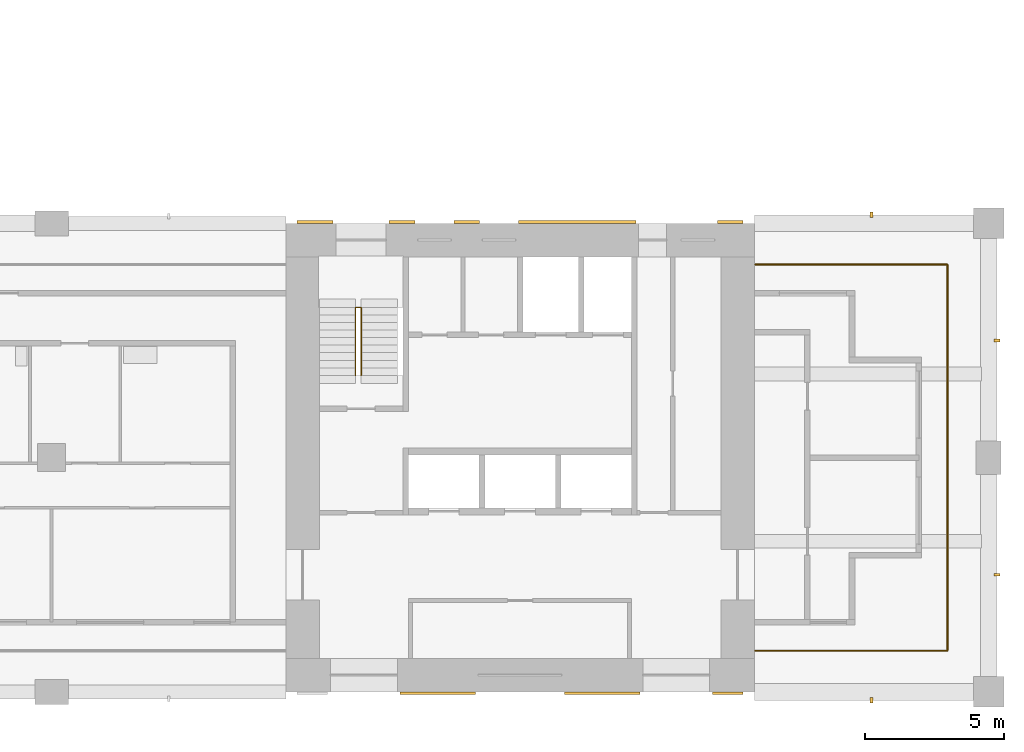
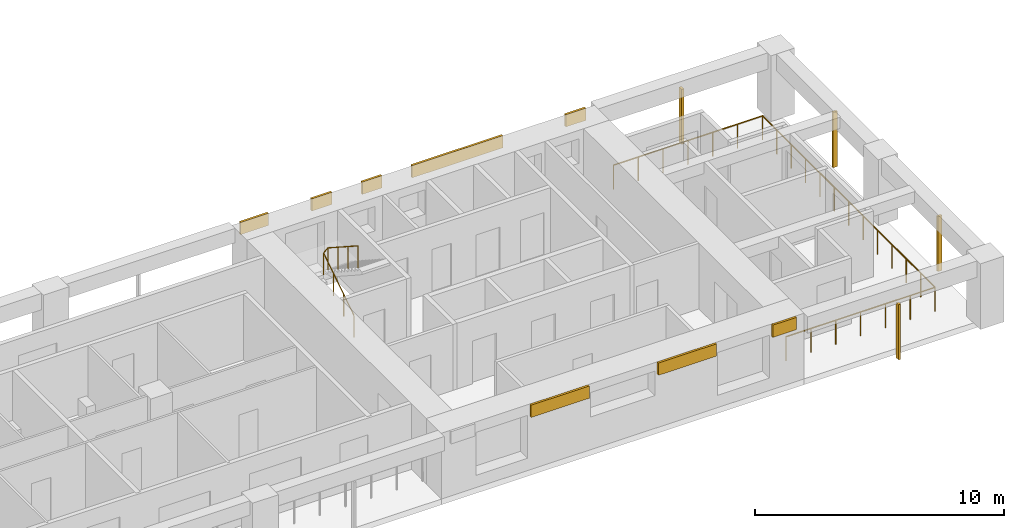
# One storey, part 8 of 10: 12 shading devices, 2 railings.
"""IFC4 building model written with IfcOpenShell, lengths in metres."""

from ifc_helpers import new_model, si_unit, direction, frame, origin, origin_2d, place, context, subcontext, project, spatial, rectangle, circle, extrude, material, layer, layer_set, material_profile, profile_set, type_object, element, save


model = new_model("IFC4")

# Units and contexts
model_context = context("Model", 3, precision=1e-05, world=origin(), true_north=direction((0.0, 1.0)))
body_context = subcontext(model_context, "Body", "Model", "MODEL_VIEW")
ifc_project = project(units=[si_unit("LENGTHUNIT", "METRE"), si_unit("AREAUNIT", "SQUARE_METRE"), si_unit("VOLUMEUNIT", "CUBIC_METRE"), si_unit("PLANEANGLEUNIT", "RADIAN"), si_unit("MASSUNIT", "GRAM", prefix="KILO")], contexts=[model_context])

# Site, building, storey
site_placement = place(None, origin())
site = spatial("IfcSite", under=ifc_project, at=site_placement, CompositionType="ELEMENT")
building_placement = place(site_placement, origin())
building = spatial("IfcBuilding", under=site, at=building_placement, Name="Vermilion Gate Residences", CompositionType="ELEMENT")
storey_placement = place(building_placement, frame((0.0, 0.0, 175.699951171875)))
storey = spatial("IfcBuildingStorey", under=building, at=storey_placement, Name="L45", CompositionType="ELEMENT", Elevation=175.699951171875)

# Railings
ifc_material_1 = material(Name="Stainless steel and toughened glass", Category="steel")
railing_type_1 = type_object("IfcRailingType", Name="LOGGIA GUARD STEEL AND GLASS 1200", PredefinedType="GUARDRAIL", material=ifc_material_1)
railing_1_placement = place(storey_placement, frame((58.822021484375, 9.875, 0.0)))
element("IfcRailing", 1, at=railing_1_placement, inside=storey, type_object=railing_type_1, Name="Loggia guard", PredefinedType="GUARDRAIL", context=body_context, shape_type="SweptSolid", body=[
    extrude(circle(Radius=0.030029296875, at=origin_2d()), frame((0.0, 0.0, 1.169921875), z_axis=(1.0, 0.0, 0.0), x_axis=(0.0, 1.0, 0.0)), (0.0, 0.0, 1.0), 6.903076171875),
    extrude(circle(Radius=0.030029296875, at=origin_2d()), frame((6.903076171875, 0.0, 1.169921875), z_axis=(0.0, 1.0, 0.0), x_axis=(-1.0, 0.0, 0.0)), (0.0, 0.0, 1.0), 13.85009765625),
    extrude(circle(Radius=0.030029296875, at=origin_2d()), frame((6.903076171875, 13.85009765625, 1.169921875), z_axis=(-1.0, 0.0, 0.0), x_axis=(0.0, -1.0, 0.0)), (0.0, 0.0, 1.0), 6.903076171875),
    extrude(circle(Radius=0.02490234375, at=origin_2d()), origin(), (0.0, 0.0, 1.0), 1.139892578125),
    extrude(circle(Radius=0.02490234375, at=origin_2d()), frame((1.150390625, 0.0, 0.0)), (0.0, 0.0, 1.0), 1.139892578125),
    extrude(circle(Radius=0.02490234375, at=origin_2d()), frame((2.301025390625, 0.0, 0.0)), (0.0, 0.0, 1.0), 1.139892578125),
    extrude(circle(Radius=0.02490234375, at=origin_2d()), frame((3.45166015625, 0.0, 0.0)), (0.0, 0.0, 1.0), 1.139892578125),
    extrude(circle(Radius=0.02490234375, at=origin_2d()), frame((4.60205078125, 0.0, 0.0)), (0.0, 0.0, 1.0), 1.139892578125),
    extrude(circle(Radius=0.02490234375, at=origin_2d()), frame((5.75244140625, 0.0, 0.0)), (0.0, 0.0, 1.0), 1.139892578125),
    extrude(circle(Radius=0.02490234375, at=origin_2d()), frame((6.903076171875, 0.0, 0.0)), (0.0, 0.0, 1.0), 1.139892578125),
    extrude(circle(Radius=0.02490234375, at=origin_2d()), frame((6.903076171875, 1.154296875, 0.0)), (0.0, 0.0, 1.0), 1.139892578125),
    extrude(circle(Radius=0.02490234375, at=origin_2d()), frame((6.903076171875, 2.308349609375, 0.0)), (0.0, 0.0, 1.0), 1.139892578125),
    extrude(circle(Radius=0.02490234375, at=origin_2d()), frame((6.903076171875, 3.46240234375, 0.0)), (0.0, 0.0, 1.0), 1.139892578125),
    extrude(circle(Radius=0.02490234375, at=origin_2d()), frame((6.903076171875, 4.61669921875, 0.0)), (0.0, 0.0, 1.0), 1.139892578125),
    extrude(circle(Radius=0.02490234375, at=origin_2d()), frame((6.903076171875, 5.77099609375, 0.0)), (0.0, 0.0, 1.0), 1.139892578125),
    extrude(circle(Radius=0.02490234375, at=origin_2d()), frame((6.903076171875, 6.925048828125, 0.0)), (0.0, 0.0, 1.0), 1.139892578125),
    extrude(circle(Radius=0.02490234375, at=origin_2d()), frame((6.903076171875, 8.0791015625, 0.0)), (0.0, 0.0, 1.0), 1.139892578125),
    extrude(circle(Radius=0.02490234375, at=origin_2d()), frame((6.903076171875, 9.2333984375, 0.0)), (0.0, 0.0, 1.0), 1.139892578125),
    extrude(circle(Radius=0.02490234375, at=origin_2d()), frame((6.903076171875, 10.3876953125, 0.0)), (0.0, 0.0, 1.0), 1.139892578125),
    extrude(circle(Radius=0.02490234375, at=origin_2d()), frame((6.903076171875, 11.541748046875, 0.0)), (0.0, 0.0, 1.0), 1.139892578125),
    extrude(circle(Radius=0.02490234375, at=origin_2d()), frame((6.903076171875, 12.69580078125, 0.0)), (0.0, 0.0, 1.0), 1.139892578125),
    extrude(circle(Radius=0.02490234375, at=origin_2d()), frame((6.903076171875, 13.85009765625, 0.0)), (0.0, 0.0, 1.0), 1.139892578125),
    extrude(circle(Radius=0.02490234375, at=origin_2d()), frame((5.75244140625, 13.85009765625, 0.0)), (0.0, 0.0, 1.0), 1.139892578125),
    extrude(circle(Radius=0.02490234375, at=origin_2d()), frame((4.60205078125, 13.85009765625, 0.0)), (0.0, 0.0, 1.0), 1.139892578125),
    extrude(circle(Radius=0.02490234375, at=origin_2d()), frame((3.45166015625, 13.85009765625, 0.0)), (0.0, 0.0, 1.0), 1.139892578125),
    extrude(circle(Radius=0.02490234375, at=origin_2d()), frame((2.301025390625, 13.85009765625, 0.0)), (0.0, 0.0, 1.0), 1.139892578125),
    extrude(circle(Radius=0.02490234375, at=origin_2d()), frame((1.150390625, 13.85009765625, 0.0)), (0.0, 0.0, 1.0), 1.139892578125),
    extrude(circle(Radius=0.02490234375, at=origin_2d()), frame((0.0, 13.85009765625, 0.0)), (0.0, 0.0, 1.0), 1.139892578125),
])
ifc_material_2 = material(Name="Steel S355", Category="steel")
railing_type_2 = type_object("IfcRailingType", Name="STAIR GUARD 1100 STEEL", PredefinedType="GUARDRAIL", material=ifc_material_2)
railing_2_placement = place(storey_placement, frame((44.5, 19.75, 0.175048828125)))
element("IfcRailing", 2, at=railing_2_placement, inside=storey, type_object=railing_type_2, Name="Stair well guard STA1-45", PredefinedType="GUARDRAIL", context=body_context, shape_type="SweptSolid", body=[
    extrude(circle(Radius=0.02392578125, at=origin_2d()), frame((0.0, 0.0, 1.076171875), z_axis=(0.0, 0.839153699163, 0.543894354798), x_axis=(-1.0, 0.0, 0.0)), (0.0, 0.0, 1.0), 2.895751953125),
    extrude(circle(Radius=0.02392578125, at=origin_2d()), frame((0.0, 2.429931640625, 2.65087890625), z_axis=(0.752405939678, 0.0, 0.658699705433), x_axis=(0.0, 1.0, 0.0)), (0.0, 0.0, 1.0), 0.265869140625),
    extrude(circle(Radius=0.02392578125, at=origin_2d()), frame((0.199951171875, 2.429931640625, 2.826171875), z_axis=(0.0, -0.839153699163, 0.543894354798), x_axis=(1.0, 0.0, 0.0)), (0.0, 0.0, 1.0), 2.895751953125),
    extrude(circle(Radius=0.02099609375, at=origin_2d()), origin(), (0.0, 0.0, 1.0), 1.052001953125),
    extrude(circle(Radius=0.02099609375, at=origin_2d()), frame((0.0, 0.81005859375, 0.52490234375)), (0.0, 0.0, 1.0), 1.052001953125),
    extrude(circle(Radius=0.02099609375, at=origin_2d()), frame((0.0, 1.619873046875, 1.050048828125)), (0.0, 0.0, 1.0), 1.052001953125),
    extrude(circle(Radius=0.02099609375, at=origin_2d()), frame((0.0, 2.429931640625, 1.574951171875)), (0.0, 0.0, 1.0), 1.052001953125),
    extrude(circle(Radius=0.02099609375, at=origin_2d()), frame((0.199951171875, 2.429931640625, 1.75)), (0.0, 0.0, 1.0), 1.052001953125),
    extrude(circle(Radius=0.02099609375, at=origin_2d()), frame((0.199951171875, 1.619873046875, 2.27490234375)), (0.0, 0.0, 1.0), 1.052001953125),
    extrude(circle(Radius=0.02099609375, at=origin_2d()), frame((0.199951171875, 0.81005859375, 2.800048828125)), (0.0, 0.0, 1.0), 1.052001953125),
    extrude(circle(Radius=0.02099609375, at=origin_2d()), frame((0.199951171875, 0.0, 3.324951171875)), (0.0, 0.0, 1.0), 1.052001953125),
])

# Shading devices
ifc_material_3 = material(Name="Extruded terracotta", Category="masonry")
ifc_material_profile = material_profile(ifc_material_3, rectangle(XDim=0.199951171875, YDim=0.10009765625, at=origin_2d()), Name="BAGUETTE 100 X 200")
ifc_profile_set = profile_set([ifc_material_profile], Name="Extruded terracotta")
shading_device_type_1 = type_object("IfcShadingDeviceType", Name="TERRACOTTA BAGUETTE 100 X 200", PredefinedType="JALOUSIE", material=ifc_profile_set)
for number, where, z_axis, x_axis, name in (
    (3, (63.0, 8.10009765625, -0.280029296875), (0.0, 0.0, 1.0), (0.0, 1.0, 0.0), "BAGUETTE"),
    (4, (67.5, 12.60009765625, -0.280029296875), (0.0, 0.0, 1.0), (-1.0, 0.0, 0.0), "BAGUETTE"),
    (5, (67.5, 21.0, -0.280029296875), (0.0, 0.0, 1.0), (-1.0, 0.0, 0.0), "BAGUETTE"),
    (6, (63.0, 25.5, -0.280029296875), (0.0, 0.0, 1.0), (0.0, -1.0, 0.0), "BAGUETTE"),
):
    element("IfcShadingDevice", number, at=place(storey_placement, frame(where, z_axis=z_axis, x_axis=x_axis)), inside=storey, type_object=shading_device_type_1, Name=name, PredefinedType="JALOUSIE", context=body_context, shape_type="SweptSolid", body=[
        extrude(rectangle(XDim=0.199951171875, YDim=0.10009765625, at=origin_2d()), origin(), (0.0, 0.0, 1.0), 2.7001953125),
    ])
ifc_material_4 = material(Name="Extruded terracotta", Category="masonry")
ifc_layer = layer(ifc_material_4, 0.10009765625)
ifc_layer_set = layer_set([ifc_layer], Name="TERRACOTTA SPANDREL BAND 600 X 100")
shading_device_type_2 = type_object("IfcShadingDeviceType", Name="TERRACOTTA SPANDREL BAND 600 X 100", PredefinedType="USERDEFINED", material=ifc_layer_set)
for number, where, z_axis, x_axis, name in (
    (7, (47.449951171875, 8.35009765625, 2.6201171875), (0.0, 0.0, 1.0), (1.0, 0.0, 0.0), "SPANDREL BAND"),
    (8, (53.35009765625, 8.35009765625, 2.6201171875), (0.0, 0.0, 1.0), (1.0, 0.0, 0.0), "SPANDREL BAND"),
):
    element("IfcShadingDevice", number, at=place(storey_placement, frame(where, z_axis=z_axis, x_axis=x_axis)), inside=storey, type_object=shading_device_type_2, Name=name, ObjectType="BAND", PredefinedType="USERDEFINED", context=body_context, shape_type="SweptSolid", body=[
        extrude(rectangle(XDim=2.699951171875, YDim=0.10009765625, at=origin_2d()), origin(), (0.0, 0.0, 1.0), 0.60009765625),
    ])
shading_device_1_placement = place(storey_placement, frame((57.85009765625, 8.35009765625, 2.6201171875), z_axis=(0.0, 0.0, 1.0), x_axis=(1.0, 0.0, 0.0)))
element("IfcShadingDevice", 9, at=shading_device_1_placement, inside=storey, type_object=shading_device_type_2, Name="SPANDREL BAND", ObjectType="BAND", PredefinedType="USERDEFINED", context=body_context, shape_type="SweptSolid", body=[
    extrude(rectangle(XDim=1.10009765625, YDim=0.10009765625, at=origin_2d()), origin(), (0.0, 0.0, 1.0), 0.60009765625),
])
shading_device_2_placement = place(storey_placement, frame((43.050048828125, 25.25, 2.6201171875), z_axis=(0.0, 0.0, 1.0), x_axis=(1.0, 0.0, 0.0)))
element("IfcShadingDevice", 10, at=shading_device_2_placement, inside=storey, type_object=shading_device_type_2, Name="SPANDREL BAND", ObjectType="BAND", PredefinedType="USERDEFINED", context=body_context, shape_type="SweptSolid", body=[
    extrude(rectangle(XDim=1.300048828125, YDim=0.10009765625, at=origin_2d()), origin(), (0.0, 0.0, 1.0), 0.60009765625),
])
shading_device_3_placement = place(storey_placement, frame((46.168701171875, 25.25, 2.6201171875), z_axis=(0.0, 0.0, 1.0), x_axis=(1.0, 0.0, 0.0)))
element("IfcShadingDevice", 11, at=shading_device_3_placement, inside=storey, type_object=shading_device_type_2, Name="SPANDREL BAND", ObjectType="BAND", PredefinedType="USERDEFINED", context=body_context, shape_type="SweptSolid", body=[
    extrude(rectangle(XDim=0.9375, YDim=0.10009765625, at=origin_2d()), origin(), (0.0, 0.0, 1.0), 0.60009765625),
])
shading_device_4_placement = place(storey_placement, frame((48.49365234375, 25.25, 2.6201171875), z_axis=(0.0, 0.0, 1.0), x_axis=(1.0, 0.0, 0.0)))
element("IfcShadingDevice", 12, at=shading_device_4_placement, inside=storey, type_object=shading_device_type_2, Name="SPANDREL BAND", ObjectType="BAND", PredefinedType="USERDEFINED", context=body_context, shape_type="SweptSolid", body=[
    extrude(rectangle(XDim=0.91259765625, YDim=0.10009765625, at=origin_2d()), origin(), (0.0, 0.0, 1.0), 0.60009765625),
])
shading_device_5_placement = place(storey_placement, frame((52.449951171875, 25.25, 2.6201171875), z_axis=(0.0, 0.0, 1.0), x_axis=(1.0, 0.0, 0.0)))
element("IfcShadingDevice", 13, at=shading_device_5_placement, inside=storey, type_object=shading_device_type_2, Name="SPANDREL BAND", ObjectType="BAND", PredefinedType="USERDEFINED", context=body_context, shape_type="SweptSolid", body=[
    extrude(rectangle(XDim=4.199951171875, YDim=0.10009765625, at=origin_2d()), origin(), (0.0, 0.0, 1.0), 0.60009765625),
])
shading_device_6_placement = place(storey_placement, frame((57.9375, 25.25, 2.6201171875), z_axis=(0.0, 0.0, 1.0), x_axis=(1.0, 0.0, 0.0)))
element("IfcShadingDevice", 14, at=shading_device_6_placement, inside=storey, type_object=shading_device_type_2, Name="SPANDREL BAND", ObjectType="BAND", PredefinedType="USERDEFINED", context=body_context, shape_type="SweptSolid", body=[
    extrude(rectangle(XDim=0.925048828125, YDim=0.10009765625, at=origin_2d()), origin(), (0.0, 0.0, 1.0), 0.60009765625),
])

save(model, "model.ifc")
